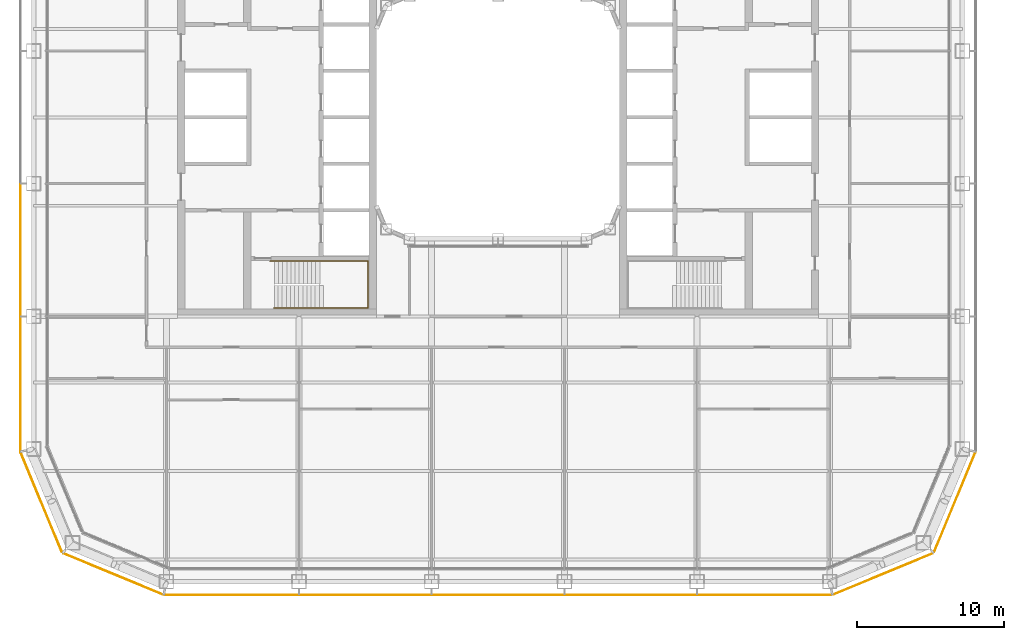
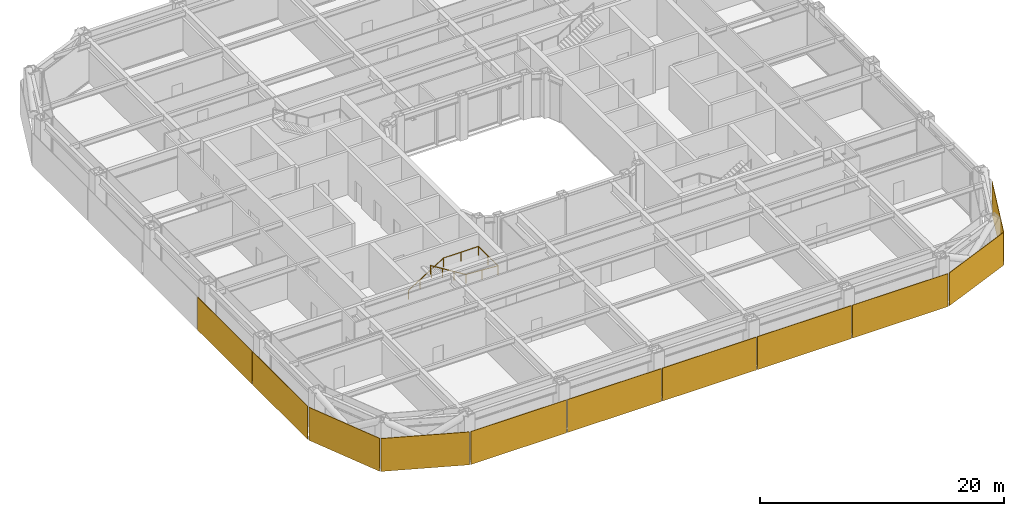
# One storey, part 25 of 30: 11 coverings, 1 railing.
"""IFC4 building model written with IfcOpenShell, lengths in metres."""

from ifc_helpers import new_model, si_unit, direction, frame, origin, origin_2d, place, context, subcontext, project, spatial, rectangle, circle, extrude, material, layer, layer_set, type_object, element, save


model = new_model("IFC4")

# Units and contexts
model_context = context("Model", 3, precision=1e-05, world=origin(), true_north=direction((0.0, 1.0)))
body_context = subcontext(model_context, "Body", "Model", "MODEL_VIEW")
ifc_project = project(units=[si_unit("LENGTHUNIT", "METRE"), si_unit("AREAUNIT", "SQUARE_METRE"), si_unit("VOLUMEUNIT", "CUBIC_METRE"), si_unit("PLANEANGLEUNIT", "RADIAN"), si_unit("MASSUNIT", "GRAM", prefix="KILO")], contexts=[model_context])

# Site, building, storey
site_placement = place(None, origin())
site = spatial("IfcSite", under=ifc_project, at=site_placement, CompositionType="ELEMENT")
building_placement = place(site_placement, origin())
building = spatial("IfcBuilding", under=site, at=building_placement, Name="Siwar Civic Tower", CompositionType="ELEMENT")
storey_placement = place(building_placement, frame((0.0, 0.0, 62.699951171875)))
storey = spatial("IfcBuildingStorey", under=building, at=storey_placement, Name="L13", CompositionType="ELEMENT", Elevation=62.699951171875)

# Railing
ifc_material_1 = material(Name="Stainless steel", Category="steel")
railing_type = type_object("IfcRailingType", Name="CORE-STAIR-HANDRAIL", PredefinedType="HANDRAIL", material=ifc_material_1)
railing_placement = place(storey_placement, frame((-15.449951171875, -9.758056640625, 0.173095703125)))
element("IfcRailing", 1, at=railing_placement, inside=storey, type_object=railing_type, Name="Stair handrail ST2", PredefinedType="HANDRAIL", context=body_context, shape_type="SweptSolid", body=[
    extrude(circle(Radius=0.02001953125, at=origin_2d()), frame((0.0, 0.0, 0.8798828125), z_axis=(0.847063342986, 0.0, 0.531491950051), x_axis=(0.0, 1.0, 0.0)), (0.0, 0.0, 1.0), 3.90771484375),
    extrude(circle(Radius=0.02001953125, at=origin_2d()), frame((3.31005859375, 0.0, 2.956787109375), z_axis=(1.0, 0.0, 0.0), x_axis=(0.0, 1.0, 0.0)), (0.0, 0.0, 1.0), 3.331787109375),
    extrude(circle(Radius=0.02001953125, at=origin_2d()), frame((6.641845703125, 0.0, 2.956787109375), z_axis=(0.0, -1.0, 0.0), x_axis=(1.0, 0.0, 0.0)), (0.0, 0.0, 1.0), 3.183837890625),
    extrude(circle(Radius=0.02001953125, at=origin_2d()), frame((6.641845703125, -3.183837890625, 2.956787109375), z_axis=(-0.99837434197, 0.0, 0.056997134106), x_axis=(0.0, -1.0, 0.0)), (0.0, 0.0, 1.0), 3.036865234375),
    extrude(circle(Radius=0.02001953125, at=origin_2d()), frame((3.60986328125, -3.183837890625, 3.1298828125), z_axis=(-0.850606129759, 0.0, 0.525803396734), x_axis=(0.0, -1.0, 0.0)), (0.0, 0.0, 1.0), 3.949951171875),
    extrude(circle(Radius=0.02001953125, at=origin_2d()), origin(), (0.0, 0.0, 1.0), 0.85986328125),
    extrude(circle(Radius=0.02001953125, at=origin_2d()), frame((1.103271484375, 0.0, 0.6923828125)), (0.0, 0.0, 1.0), 0.85986328125),
    extrude(circle(Radius=0.02001953125, at=origin_2d()), frame((2.206787109375, 0.0, 1.384521484375)), (0.0, 0.0, 1.0), 0.85986328125),
    extrude(circle(Radius=0.02001953125, at=origin_2d()), frame((3.31005859375, 0.0, 2.076904296875)), (0.0, 0.0, 1.0), 0.85986328125),
    extrude(circle(Radius=0.02001953125, at=origin_2d()), frame((4.97607421875, 0.0, 2.076904296875)), (0.0, 0.0, 1.0), 0.85986328125),
    extrude(circle(Radius=0.02001953125, at=origin_2d()), frame((6.641845703125, 0.0, 2.076904296875)), (0.0, 0.0, 1.0), 0.85986328125),
    extrude(circle(Radius=0.02001953125, at=origin_2d()), frame((6.641845703125, -1.591796875, 2.076904296875)), (0.0, 0.0, 1.0), 0.85986328125),
    extrude(circle(Radius=0.02001953125, at=origin_2d()), frame((6.641845703125, -3.183837890625, 2.076904296875)), (0.0, 0.0, 1.0), 0.85986328125),
    extrude(circle(Radius=0.02001953125, at=origin_2d()), frame((5.1259765625, -3.183837890625, 2.16357421875)), (0.0, 0.0, 1.0), 0.85986328125),
    extrude(circle(Radius=0.02001953125, at=origin_2d()), frame((3.60986328125, -3.183837890625, 2.25)), (0.0, 0.0, 1.0), 0.85986328125),
    extrude(circle(Radius=0.02001953125, at=origin_2d()), frame((2.489990234375, -3.183837890625, 2.9423828125)), (0.0, 0.0, 1.0), 0.85986328125),
    extrude(circle(Radius=0.02001953125, at=origin_2d()), frame((1.369873046875, -3.183837890625, 3.634521484375)), (0.0, 0.0, 1.0), 0.85986328125),
    extrude(circle(Radius=0.02001953125, at=origin_2d()), frame((0.25, -3.183837890625, 4.326904296875)), (0.0, 0.0, 1.0), 0.85986328125),
])

# Coverings
ifc_material_2 = material(Name="Perforated aluminium cassette, pale metal", Category="aluminium")
ifc_layer_1 = layer(ifc_material_2, 0.044921875)
ifc_layer_set_1 = layer_set([ifc_layer_1], Name="Perforated aluminium cassette, pale metal")
covering_type_1 = type_object("IfcCoveringType", Name="ENV-OUTER SKIN OS-2", PredefinedType="CLADDING", material=ifc_layer_set_1)
covering_1_placement = place(storey_placement, frame((30.976318359375, -26.115966796875, -0.14990234375), z_axis=(0.0, 0.0, 1.0), x_axis=(0.382683432365, 0.923879532511, 0.0)))
element("IfcCovering", 2, at=covering_1_placement, inside=storey, type_object=covering_type_1, Name="OUTER SKIN OS-2 SE2 1", PredefinedType="CLADDING", context=body_context, shape_type="SweptSolid", body=[
    extrude(rectangle(XDim=7.300048828125, YDim=0.044921875, at=origin_2d()), origin(), (0.0, 0.0, 1.0), 3.300048828125),
])
ifc_material_3 = material(Name="Perforated aluminium cassette, pale metal", Category="aluminium")
ifc_layer_2 = layer(ifc_material_3, 0.050048828125)
ifc_layer_set_2 = layer_set([ifc_layer_2], Name="Perforated aluminium cassette, pale metal")
covering_type_2 = type_object("IfcCoveringType", Name="ENV-OUTER SKIN OS-3", PredefinedType="CLADDING", material=ifc_layer_set_2)
covering_2_placement = place(storey_placement, frame((26.115966796875, -30.976318359375, -0.14990234375), z_axis=(0.0, 0.0, 1.0), x_axis=(0.923879532511, 0.382683432365, 0.0)))
element("IfcCovering", 3, at=covering_2_placement, inside=storey, type_object=covering_type_2, Name="OUTER SKIN OS-3 SE1 1", PredefinedType="CLADDING", context=body_context, shape_type="SweptSolid", body=[
    extrude(rectangle(XDim=7.300048828125, YDim=0.050048828125, at=origin_2d()), origin(), (0.0, 0.0, 1.0), 3.300048828125),
])
covering_3_placement = place(storey_placement, frame((-32.39990234375, -9.0, -0.14990234375), z_axis=(0.0, 0.0, 1.0), x_axis=(0.0, -1.0, 0.0)))
element("IfcCovering", 4, at=covering_3_placement, inside=storey, type_object=covering_type_2, Name="OUTER SKIN OS-3 W 4", PredefinedType="CLADDING", context=body_context, shape_type="SweptSolid", body=[
    extrude(rectangle(XDim=8.89990234375, YDim=0.050048828125, at=origin_2d()), origin(), (0.0, 0.0, 1.0), 3.300048828125),
])
covering_4_placement = place(storey_placement, frame((-32.39990234375, -18.07958984375, -0.14990234375), z_axis=(0.0, 0.0, 1.0), x_axis=(0.0, -1.0, 0.0)))
element("IfcCovering", 5, at=covering_4_placement, inside=storey, type_object=covering_type_2, Name="OUTER SKIN OS-3 W 5", PredefinedType="CLADDING", context=body_context, shape_type="SweptSolid", body=[
    extrude(rectangle(XDim=9.05908203125, YDim=0.050048828125, at=origin_2d()), origin(), (0.0, 0.0, 1.0), 3.300048828125),
])
ifc_material_4 = material(Name="Perforated aluminium cassette, pale metal", Category="aluminium")
ifc_layer_3 = layer(ifc_material_4, 0.054931640625)
ifc_layer_set_3 = layer_set([ifc_layer_3], Name="Perforated aluminium cassette, pale metal")
covering_type_3 = type_object("IfcCoveringType", Name="ENV-OUTER SKIN OS-4", PredefinedType="CLADDING", material=ifc_layer_set_3)
covering_5_placement = place(storey_placement, frame((-18.07958984375, -32.39990234375, -0.14990234375), z_axis=(0.0, 0.0, 1.0), x_axis=(1.0, 0.0, 0.0)))
element("IfcCovering", 6, at=covering_5_placement, inside=storey, type_object=covering_type_3, Name="OUTER SKIN OS-4 S 1", PredefinedType="CLADDING", context=body_context, shape_type="SweptSolid", body=[
    extrude(rectangle(XDim=9.05908203125, YDim=0.054931640625, at=origin_2d()), origin(), (0.0, 0.0, 1.0), 3.300048828125),
])
for number, where, z_axis, x_axis, name in (
    (7, (-9.0, -32.39990234375, -0.14990234375), (0.0, 0.0, 1.0), (1.0, 0.0, 0.0), "OUTER SKIN OS-4 S 2"),
    (8, (0.0, -32.39990234375, -0.14990234375), (0.0, 0.0, 1.0), (1.0, 0.0, 0.0), "OUTER SKIN OS-4 S 3"),
    (9, (9.0, -32.39990234375, -0.14990234375), (0.0, 0.0, 1.0), (1.0, 0.0, 0.0), "OUTER SKIN OS-4 S 4"),
):
    element("IfcCovering", number, at=place(storey_placement, frame(where, z_axis=z_axis, x_axis=x_axis)), inside=storey, type_object=covering_type_3, Name=name, PredefinedType="CLADDING", context=body_context, shape_type="SweptSolid", body=[
        extrude(rectangle(XDim=8.89990234375, YDim=0.054931640625, at=origin_2d()), origin(), (0.0, 0.0, 1.0), 3.300048828125),
    ])
covering_6_placement = place(storey_placement, frame((18.07958984375, -32.39990234375, -0.14990234375), z_axis=(0.0, 0.0, 1.0), x_axis=(1.0, 0.0, 0.0)))
element("IfcCovering", 10, at=covering_6_placement, inside=storey, type_object=covering_type_3, Name="OUTER SKIN OS-4 S 5", PredefinedType="CLADDING", context=body_context, shape_type="SweptSolid", body=[
    extrude(rectangle(XDim=9.05908203125, YDim=0.054931640625, at=origin_2d()), origin(), (0.0, 0.0, 1.0), 3.300048828125),
])
for number, where, z_axis, x_axis, name in (
    (11, (-30.976318359375, -26.115966796875, -0.14990234375), (0.0, 0.0, 1.0), (0.382683432365, -0.923879532511, 0.0), "OUTER SKIN OS-4 SW1 1"),
    (12, (-26.115966796875, -30.976318359375, -0.14990234375), (0.0, 0.0, 1.0), (0.923879532511, -0.382683432365, 0.0), "OUTER SKIN OS-4 SW2 1"),
):
    element("IfcCovering", number, at=place(storey_placement, frame(where, z_axis=z_axis, x_axis=x_axis)), inside=storey, type_object=covering_type_3, Name=name, PredefinedType="CLADDING", context=body_context, shape_type="SweptSolid", body=[
        extrude(rectangle(XDim=7.300048828125, YDim=0.054931640625, at=origin_2d()), origin(), (0.0, 0.0, 1.0), 3.300048828125),
    ])

save(model, "model.ifc")
